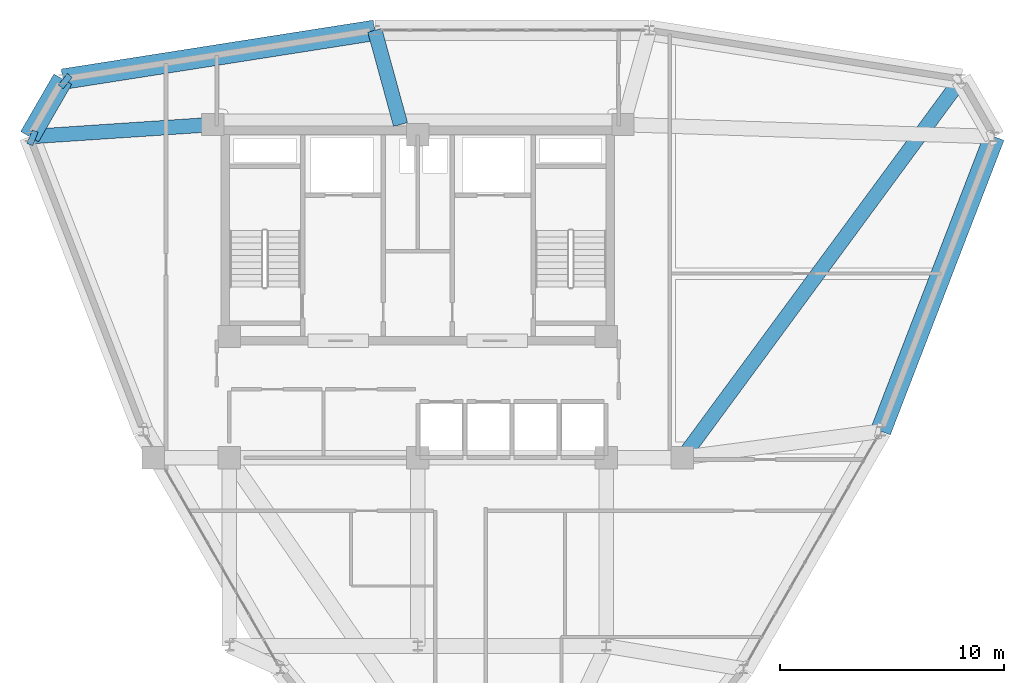
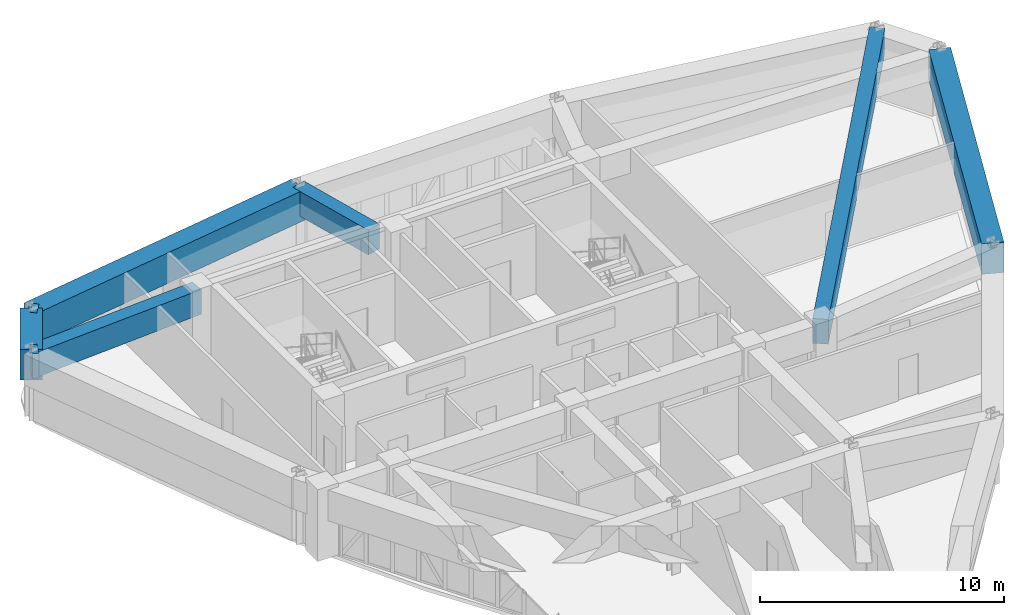
# One storey, part 10 of 19: 8 beams.
"""IFC4 building model written with IfcOpenShell, lengths in metres."""

from ifc_helpers import new_model, si_unit, derived_unit, direction, frame, origin, origin_2d, place, context, subcontext, project, spatial, rectangle, extrude, source, transform, mapped, material, material_profile, profile_set, type_object, element, save


model = new_model("IFC4")

# Units and contexts
model_context = context("Model", 3, precision=1e-05, world=origin(), true_north=direction((0.0, 1.0)))
body_context = subcontext(model_context, "Body", "Model", "MODEL_VIEW")
ifc_project = project(units=[si_unit("LENGTHUNIT", "METRE"), si_unit("AREAUNIT", "SQUARE_METRE"), si_unit("VOLUMEUNIT", "CUBIC_METRE"), si_unit("PLANEANGLEUNIT", "RADIAN"), si_unit("MASSUNIT", "GRAM", prefix="KILO"), derived_unit("THERMALTRANSMITTANCEUNIT", [(si_unit("POWERUNIT", "WATT"), 1), (si_unit("LENGTHUNIT", "METRE"), -2), (si_unit("THERMODYNAMICTEMPERATUREUNIT", "KELVIN"), -1)])], contexts=[model_context])

# Site, building, storey
site_placement = place(None, origin())
site = spatial("IfcSite", under=ifc_project, at=site_placement, CompositionType="ELEMENT")
building_placement = place(site_placement, origin())
building = spatial("IfcBuilding", under=site, at=building_placement, Name="Korsvarv Bourse and Concert Hall", CompositionType="ELEMENT")
storey_placement = place(building_placement, frame((0.0, 0.0, 223.800048828125)))
storey = spatial("IfcBuildingStorey", under=building, at=storey_placement, Name="L58", CompositionType="ELEMENT", Elevation=223.800048828125)

# Beams
ifc_material = material(Name="Concrete C50/60", Category="concrete")
ifc_material_profile_1 = material_profile(ifc_material, rectangle(XDim=0.64990234375, YDim=1.239990234375, at=origin_2d()), Name="RC-BM 650x1240")
ifc_profile_set_1 = profile_set([ifc_material_profile_1], Name="Concrete C50/60")
beam_type_1 = type_object("IfcBeamType", Name="BM-TR-SPN", PredefinedType="BEAM", material=ifc_profile_set_1)
shared_shape_1 = source(origin(), body_context, "Body", "SweptSolid", [
    extrude(rectangle(XDim=0.64990234375, YDim=1.239990234375, at=origin_2d()), origin(), (0.0, 0.0, 1.0), 0.279052734375),
])
beam_1_placement = place(storey_placement, frame((20.1728515625, 49.271484375, 2.7900390625), z_axis=(0.782232766624, -0.622986274985, 0.0), x_axis=(0.622986274985, 0.782232766624, 0.0)))
element("IfcBeam", 1, at=beam_1_placement, inside=storey, type_object=beam_type_1, Name="L58 beam B-TRS", PredefinedType="BEAM", context=body_context, shape_type="MappedRepresentation", body=[
    mapped(shared_shape_1, transform((0.0, 0.0, 0.0), scale=1.0)),
])
ifc_material_profile_2 = material_profile(ifc_material, rectangle(XDim=0.919921875, YDim=1.530029296875, at=origin_2d()), Name="RC-BM 920x1530")
ifc_profile_set_2 = profile_set([ifc_material_profile_2], Name="Concrete C50/60")
beam_type_2 = type_object("IfcBeamType", Name="BM-TR-154", PredefinedType="BEAM", material=ifc_profile_set_2)
shared_shape_2 = source(origin(), body_context, "Body", "SweptSolid", [
    extrude(rectangle(XDim=0.919921875, YDim=1.530029296875, at=origin_2d()), origin(), (0.0, 0.0, 1.0), 14.077880859375),
])
for number, where, z_axis, x_axis, name in (
    (2, (34.0810546875, 51.449951171875, 2.64501953125), (-0.987954433111, -0.154745074545, 0.0), (0.154745074545, -0.987954433111, 0.0), "L58 beam B-TR6"),
    (3, (56.639404296875, 33.57421875, 2.64501953125), (0.359967818551, 0.932964720452, 0.0), (-0.932964720452, 0.359967818551, 0.0), "L58 beam B-TR6"),
):
    element("IfcBeam", number, at=place(storey_placement, frame(where, z_axis=z_axis, x_axis=x_axis)), inside=storey, type_object=beam_type_2, Name=name, PredefinedType="BEAM", context=body_context, shape_type="MappedRepresentation", body=[
        mapped(shared_shape_2, transform((0.0, 0.0, 0.0), scale=1.0)),
    ])
shared_shape_3 = source(origin(), body_context, "Body", "SweptSolid", [
    extrude(rectangle(XDim=0.919921875, YDim=1.530029296875, at=origin_2d()), origin(), (0.0, 0.0, 1.0), 2.959716796875),
])
beam_2_placement = place(storey_placement, frame((20.1728515625, 49.271484375, 2.64501953125), z_axis=(-0.50006043627, -0.865990508076, 0.0), x_axis=(0.865990508076, -0.50006043627, 0.0)))
element("IfcBeam", 4, at=beam_2_placement, inside=storey, type_object=beam_type_2, Name="L58 beam B-TR6", PredefinedType="BEAM", context=body_context, shape_type="MappedRepresentation", body=[
    mapped(shared_shape_3, transform((0.0, 0.0, 0.0), scale=1.0)),
])
shared_shape_4 = source(origin(), body_context, "Body", "SweptSolid", [
    extrude(rectangle(XDim=0.64990234375, YDim=1.239990234375, at=origin_2d()), origin(), (0.0, 0.0, 1.0), 20.954345703125),
])
beam_3_placement = place(storey_placement, frame((60.227294921875, 49.271484375, 2.7900390625), z_axis=(-0.593061517775, -0.805157149962, 0.0), x_axis=(0.805157149962, -0.593061517775, 0.0)))
element("IfcBeam", 5, at=beam_3_placement, inside=storey, type_object=beam_type_1, Name="L58 beam B-TRS", PredefinedType="BEAM", context=body_context, shape_type="MappedRepresentation", body=[
    mapped(shared_shape_4, transform((0.0, 0.0, 0.0), scale=1.0)),
])
shared_shape_5 = source(origin(), body_context, "Body", "SweptSolid", [
    extrude(rectangle(XDim=0.64990234375, YDim=1.239990234375, at=origin_2d()), origin(), (0.0, 0.0, 1.0), 8.17529296875),
])
beam_4_placement = place(storey_placement, frame((18.69287109375, 46.70849609375, 2.7900390625), z_axis=(0.997803882038, 0.066237549694, 0.0), x_axis=(-0.066237549694, 0.997803882038, 0.0)))
element("IfcBeam", 6, at=beam_4_placement, inside=storey, type_object=beam_type_1, Name="L58 beam B-TRS", PredefinedType="BEAM", context=body_context, shape_type="MappedRepresentation", body=[
    mapped(shared_shape_5, transform((0.0, 0.0, 0.0), scale=1.0)),
])
shared_shape_6 = source(origin(), body_context, "Body", "SweptSolid", [
    extrude(rectangle(XDim=0.64990234375, YDim=1.239990234375, at=origin_2d()), origin(), (0.0, 0.0, 1.0), 0.279296875),
])
beam_5_placement = place(storey_placement, frame((18.69287109375, 46.70849609375, 2.7900390625), z_axis=(0.930453569864, -0.366409817456, 0.0), x_axis=(0.366409817456, 0.930453569864, 0.0)))
element("IfcBeam", 7, at=beam_5_placement, inside=storey, type_object=beam_type_1, Name="L58 beam B-TRS", PredefinedType="BEAM", context=body_context, shape_type="MappedRepresentation", body=[
    mapped(shared_shape_6, transform((0.0, 0.0, 0.0), scale=1.0)),
])
shared_shape_7 = source(origin(), body_context, "Body", "SweptSolid", [
    extrude(rectangle(XDim=0.64990234375, YDim=1.239990234375, at=origin_2d()), origin(), (0.0, 0.0, 1.0), 4.354736328125),
])
beam_6_placement = place(storey_placement, frame((34.0810546875, 51.449951171875, 2.7900390625), z_axis=(0.264175138452, -0.96447472555, 0.0), x_axis=(0.96447472555, 0.264175138452, 0.0)))
element("IfcBeam", 8, at=beam_6_placement, inside=storey, type_object=beam_type_1, Name="L58 beam B-TRS", PredefinedType="BEAM", context=body_context, shape_type="MappedRepresentation", body=[
    mapped(shared_shape_7, transform((0.0, 0.0, 0.0), scale=1.0)),
])

save(model, "model.ifc")
